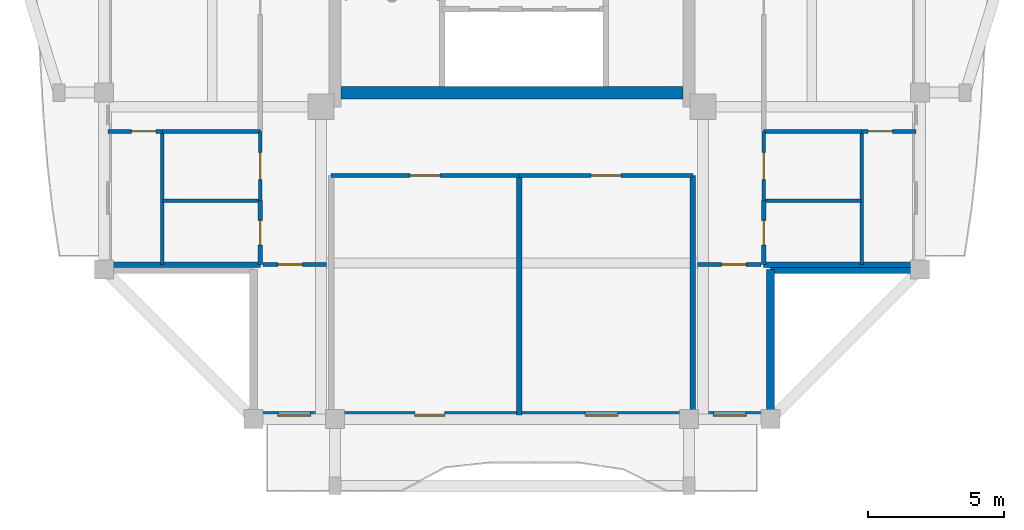
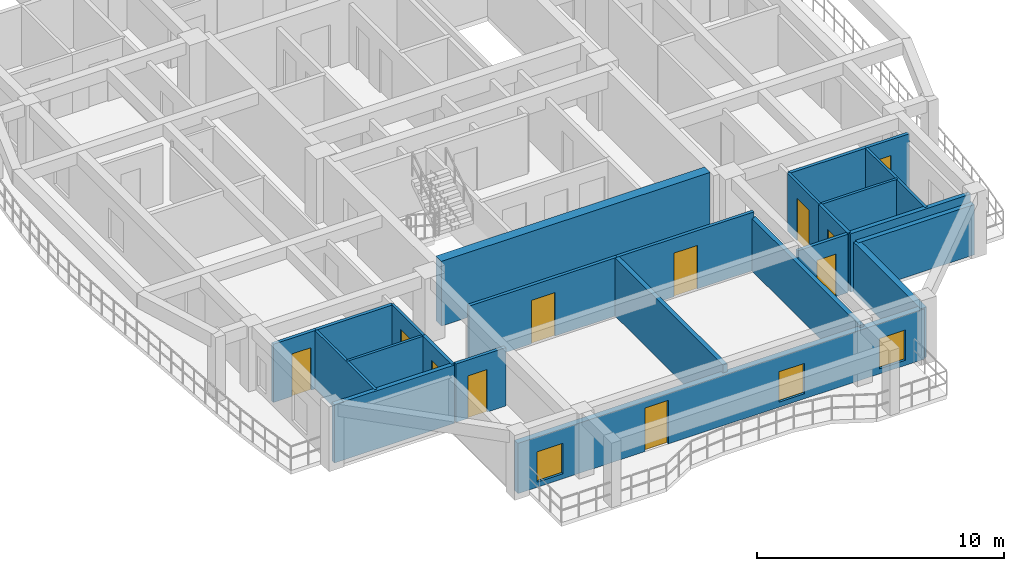
# One storey, part 2 of 11: 24 walls, 11 doors, 3 windows, 14 openings.
"""IFC4 building model written with IfcOpenShell, lengths in metres."""

from ifc_helpers import new_model, si_unit, direction, frame, frame_2d, origin, place, context, subcontext, project, spatial, rectangle, extrude, source, transform, mapped, material, layer, layer_set, type_object, element, fill, save


model = new_model("IFC4")

# Units and contexts
model_context = context("Model", 3, precision=1e-05, world=origin(), true_north=direction((0.0, 1.0)))
body_context = subcontext(model_context, "Body", "Model", "MODEL_VIEW")
ifc_project = project(units=[si_unit("LENGTHUNIT", "METRE"), si_unit("AREAUNIT", "SQUARE_METRE"), si_unit("VOLUMEUNIT", "CUBIC_METRE"), si_unit("PLANEANGLEUNIT", "RADIAN"), si_unit("MASSUNIT", "GRAM", prefix="KILO")], contexts=[model_context])

# Site, building, storey
site_placement = place(None, origin())
site = spatial("IfcSite", under=ifc_project, at=site_placement, CompositionType="ELEMENT")
building_placement = place(site_placement, origin())
building = spatial("IfcBuilding", under=site, at=building_placement, Name="Saelheon Loggia Tower", CompositionType="ELEMENT")
storey_placement = place(building_placement, frame((0.0, 0.0, 249.0)))
storey = spatial("IfcBuildingStorey", under=building, at=storey_placement, Name="L77", CompositionType="ELEMENT", Elevation=249.0)

# Wall
ifc_material_1 = material(Name="Concrete C45/55", Category="concrete")
ifc_layer_1 = layer(ifc_material_1, 0.449951171875)
ifc_layer_set_1 = layer_set([ifc_layer_1], Name="Concrete C45/55")
wall_type_1 = type_object("IfcWallType", Name="Wall_CoreShear_450", PredefinedType="SHEAR", material=ifc_layer_set_1)
wall_1_placement = place(storey_placement, frame((31.72509765625, 18.0, 0.0), z_axis=(0.0, 0.0, 1.0), x_axis=(1.0, 0.0, 0.0)))
element("IfcWall", 1, at=wall_1_placement, inside=storey, type_object=wall_type_1, Name="L77 Core Shear Wall South", PredefinedType="SHEAR", context=body_context, shape_type="SweptSolid", body=[
    extrude(rectangle(XDim=12.5498046875, YDim=0.449951171875, at=frame_2d((6.27490234375, 0.0))), origin(), (0.0, 0.0, 1.0), 3.199951171875),
])

# Wall, openings, windows, door
ifc_material_2 = material(Name="Architectural Precast Concrete C40/50", Category="concrete")
ifc_layer_2 = layer(ifc_material_2, 0.280029296875)
ifc_layer_set_2 = layer_set([ifc_layer_2], Name="Architectural Precast Concrete C40/50")
wall_type_2 = type_object("IfcWallType", Name="Wall_Ext_Loggia_280", PredefinedType="SOLIDWALL", material=ifc_layer_set_2)
wall_2_placement = place(storey_placement, frame((28.5, 6.139892578125, 0.0), z_axis=(0.0, 0.0, 1.0), x_axis=(1.0, 0.0, 0.0)))
wall_2 = element("IfcWall", 2, at=wall_2_placement, inside=storey, type_object=wall_type_2, Name="L77 South Loggia Inner Wall", PredefinedType="SOLIDWALL", context=body_context, shape_type="SweptSolid", body=[
    extrude(rectangle(XDim=19.0, YDim=0.280029296875, at=frame_2d((9.5, 0.0))), origin(), (0.0, 0.0, 1.0), 2.47998046875),
])
opening_1_placement = place(wall_2_placement, frame((0.89990234375, 0.0, 0.25)))
opening_1 = element("IfcOpeningElement", 3, at=opening_1_placement, cuts=wall_2, Name="Opening WN-03", PredefinedType="OPENING", context=body_context, shape_type="SweptSolid", body=[
    extrude(rectangle(XDim=1.199951171875, YDim=1.5, at=frame_2d((0.60009765625, 0.75))), frame((0.0, 0.152099609375, 0.0), z_axis=(0.0, -1.0, 0.0), x_axis=(1.0, 0.0, 0.0)), (0.0, 0.0, 1.0), 0.303955078125),
])
opening_2_placement = place(wall_2_placement, frame((7.028076171875, 0.0, 0.0), z_axis=(0.0, 0.0, 1.0), x_axis=(-1.0, 0.0, 0.0)))
opening_2 = element("IfcOpeningElement", 4, at=opening_2_placement, cuts=wall_2, Name="Opening TD1", PredefinedType="OPENING", context=body_context, shape_type="SweptSolid", body=[
    extrude(rectangle(XDim=1.10009765625, YDim=2.14990234375, at=frame_2d((0.550048828125, 1.074951171875))), frame((0.0, 0.152099609375, 0.0), z_axis=(0.0, -1.0, 0.0), x_axis=(1.0, 0.0, 0.0)), (0.0, 0.0, 1.0), 0.303955078125),
])
opening_3_placement = place(wall_2_placement, frame((12.18798828125, 0.0, 0.25)))
opening_3 = element("IfcOpeningElement", 5, at=opening_3_placement, cuts=wall_2, Name="Opening WN-03", PredefinedType="OPENING", context=body_context, shape_type="SweptSolid", body=[
    extrude(rectangle(XDim=1.199951171875, YDim=1.5, at=frame_2d((0.60009765625, 0.75))), frame((0.0, 0.152099609375, 0.0), z_axis=(0.0, -1.0, 0.0), x_axis=(1.0, 0.0, 0.0)), (0.0, 0.0, 1.0), 0.303955078125),
])
opening_4_placement = place(wall_2_placement, frame((16.89990234375, 0.0, 0.25)))
opening_4 = element("IfcOpeningElement", 6, at=opening_4_placement, cuts=wall_2, Name="Opening WN-03", PredefinedType="OPENING", context=body_context, shape_type="SweptSolid", body=[
    extrude(rectangle(XDim=1.199951171875, YDim=1.5, at=frame_2d((0.60009765625, 0.75))), frame((0.0, 0.152099609375, 0.0), z_axis=(0.0, -1.0, 0.0), x_axis=(1.0, 0.0, 0.0)), (0.0, 0.0, 1.0), 0.303955078125),
])
ifc_material_3 = material(Name="Thermal-Break Aluminium and Triple Low-E Glass", Category="aluminium")
window_type = type_object("IfcWindowType", Name="Win_Bedroom_1200x1500", PartitioningType="SINGLE_PANEL", PredefinedType="WINDOW", material=ifc_material_3)
shared_shape_1 = source(origin(), body_context, "Body", "SweptSolid", [
    extrude(rectangle(XDim=1.199951171875, YDim=1.5, at=frame_2d((0.60009765625, 0.75))), frame((0.0, 0.030029296875, 0.0), z_axis=(0.0, -1.0, 0.0), x_axis=(1.0, 0.0, 0.0)), (0.0, 0.0, 1.0), 0.06005859375),
])
window_1_placement = place(opening_1_placement, origin())
window_1 = element("IfcWindow", 7, at=window_1_placement, inside=storey, type_object=window_type, Name="L77 S Dwelling Window 1", OverallHeight=1.5, OverallWidth=1.199951171875, PartitioningType="SINGLE_PANEL", PredefinedType="WINDOW", context=body_context, shape_type="MappedRepresentation", body=[
    mapped(shared_shape_1, transform((0.0, 0.0, 0.0), scale=1.0)),
])
fill(opening_1, window_1)
window_2_placement = place(opening_3_placement, origin())
window_2 = element("IfcWindow", 8, at=window_2_placement, inside=storey, type_object=window_type, Name="L77 S Dwelling Window 3", OverallHeight=1.5, OverallWidth=1.199951171875, PartitioningType="SINGLE_PANEL", PredefinedType="WINDOW", context=body_context, shape_type="MappedRepresentation", body=[
    mapped(shared_shape_1, transform((0.0, 0.0, 0.0), scale=1.0)),
])
fill(opening_3, window_2)
window_3_placement = place(opening_4_placement, origin())
window_3 = element("IfcWindow", 9, at=window_3_placement, inside=storey, type_object=window_type, Name="L77 S Dwelling Window 4", OverallHeight=1.5, OverallWidth=1.199951171875, PartitioningType="SINGLE_PANEL", PredefinedType="WINDOW", context=body_context, shape_type="MappedRepresentation", body=[
    mapped(shared_shape_1, transform((0.0, 0.0, 0.0), scale=1.0)),
])
fill(opening_4, window_3)
ifc_material_4 = material(Name="Thermal-Break Aluminium Glazed Door", Category="aluminium")
door_type_1 = type_object("IfcDoorType", Name="Door_Terrace_TD1", OperationType="NOTDEFINED", PredefinedType="DOOR", material=ifc_material_4)
shared_shape_2 = source(origin(), body_context, "Body", "SweptSolid", [
    extrude(rectangle(XDim=1.10009765625, YDim=2.14990234375, at=frame_2d((0.550048828125, 1.074951171875))), frame((0.0, 0.02490234375, 0.0), z_axis=(0.0, -1.0, 0.0), x_axis=(1.0, 0.0, 0.0)), (0.0, 0.0, 1.0), 0.050048828125),
])
door_1_placement = place(opening_2_placement, origin())
door_1 = element("IfcDoor", 10, at=door_1_placement, inside=storey, type_object=door_type_1, Name="L77 S Loggia Access Door", OperationType="SINGLE_SWING_RIGHT", OverallHeight=2.14990234375, OverallWidth=1.10009765625, PredefinedType="DOOR", context=body_context, shape_type="MappedRepresentation", body=[
    mapped(shared_shape_2, transform((0.0, 0.0, 0.0), scale=1.0)),
])
fill(opening_2, door_1)

# Walls
for number, where, z_axis, x_axis, name in (
    (11, (47.5, 6.080078125, 0.0), (0.0, 0.0, 1.0), (0.0, 1.0, 0.0), "L77 Corner Notch Precast Wall SE1"),
    (12, (47.5, 11.5, 0.0), (0.0, 0.0, 1.0), (1.0, 0.0, 0.0), "L77 Corner Notch Precast Wall SE2"),
):
    element("IfcWall", number, at=place(storey_placement, frame(where, z_axis=z_axis, x_axis=x_axis)), inside=storey, type_object=wall_type_2, Name=name, PredefinedType="SOLIDWALL", context=body_context, shape_type="SweptSolid", body=[
        extrude(rectangle(XDim=5.419921875, YDim=0.280029296875, at=frame_2d((2.7099609375, 0.0))), origin(), (0.0, 0.0, 1.0), 2.47998046875),
    ])

# Wall, opening, door
ifc_material_5 = material(Name="Lightweight Autoclaved Aerated Concrete Block and Acoustic Gypsum", Category="concrete")
ifc_layer_3 = layer(ifc_material_5, 0.14990234375)
ifc_layer_set_3 = layer_set([ifc_layer_3], Name="Lightweight Autoclaved Aerated Concrete Block and Acoustic Gypsum")
wall_type_3 = type_object("IfcWallType", Name="Wall_Part_150", PredefinedType="PARTITIONING", material=ifc_layer_set_3)
wall_3_placement = place(storey_placement, frame((28.85009765625, 11.679931640625, 0.0), z_axis=(0.0, 0.0, 1.0), x_axis=(1.0, 0.0, 0.0)))
wall_3 = element("IfcWall", 13, at=wall_3_placement, inside=storey, type_object=wall_type_3, Name="PW-L77-CSW-H", PredefinedType="PARTITIONING", context=body_context, shape_type="SweptSolid", body=[
    extrude(rectangle(XDim=2.329833984375, YDim=0.14990234375, at=frame_2d((1.1650390625, 0.0))), origin(), (0.0, 0.0, 1.0), 2.8798828125),
])
opening_5_placement = place(wall_3_placement, frame((0.550048828125, 0.0, 0.0)))
opening_5 = element("IfcOpeningElement", 14, at=opening_5_placement, cuts=wall_3, Name="Opening D-IN2", PredefinedType="OPENING", context=body_context, shape_type="SweptSolid", body=[
    extrude(rectangle(XDim=0.89990234375, YDim=2.10009765625, at=frame_2d((0.449951171875, 1.050048828125))), frame((0.0, 0.0869140625, 0.0), z_axis=(0.0, -1.0, 0.0), x_axis=(1.0, 0.0, 0.0)), (0.0, 0.0, 1.0), 0.173828125),
])
ifc_material_6 = material(Name="Engineered Oak Flush Door", Category="timber")
door_type_2 = type_object("IfcDoorType", Name="Door_Int_900", OperationType="NOTDEFINED", PredefinedType="DOOR", material=ifc_material_6)
shared_shape_3 = source(origin(), body_context, "Body", "SweptSolid", [
    extrude(rectangle(XDim=0.89990234375, YDim=2.10009765625, at=frame_2d((0.449951171875, 1.050048828125))), frame((0.0, 0.02490234375, 0.0), z_axis=(0.0, -1.0, 0.0), x_axis=(1.0, 0.0, 0.0)), (0.0, 0.0, 1.0), 0.050048828125),
])
door_2_placement = place(opening_5_placement, origin())
door_2 = element("IfcDoor", 15, at=door_2_placement, inside=storey, type_object=door_type_2, Name="L77 Corner Home Office SW Door", OperationType="SINGLE_SWING_RIGHT", OverallHeight=2.10009765625, OverallWidth=0.89990234375, PredefinedType="DOOR", context=body_context, shape_type="MappedRepresentation", body=[
    mapped(shared_shape_3, transform((0.0, 0.0, 0.0), scale=1.0)),
])
fill(opening_5, door_2)

wall_4_placement = place(storey_placement, frame((44.820068359375, 11.679931640625, 0.0), z_axis=(0.0, 0.0, 1.0), x_axis=(1.0, 0.0, 0.0)))
wall_4 = element("IfcWall", 16, at=wall_4_placement, inside=storey, type_object=wall_type_3, Name="PW-L77-CSE-H", PredefinedType="PARTITIONING", context=body_context, shape_type="SweptSolid", body=[
    extrude(rectangle(XDim=2.329833984375, YDim=0.14990234375, at=frame_2d((1.1650390625, 0.0))), origin(), (0.0, 0.0, 1.0), 2.8798828125),
])
opening_6_placement = place(wall_4_placement, frame((0.8798828125, 0.0, 0.0)))
opening_6 = element("IfcOpeningElement", 17, at=opening_6_placement, cuts=wall_4, Name="Opening D-IN2", PredefinedType="OPENING", context=body_context, shape_type="SweptSolid", body=[
    extrude(rectangle(XDim=0.89990234375, YDim=2.10009765625, at=frame_2d((0.449951171875, 1.050048828125))), frame((0.0, 0.0869140625, 0.0), z_axis=(0.0, -1.0, 0.0), x_axis=(1.0, 0.0, 0.0)), (0.0, 0.0, 1.0), 0.173828125),
])
door_3_placement = place(opening_6_placement, origin())
door_3 = element("IfcDoor", 18, at=door_3_placement, inside=storey, type_object=door_type_2, Name="L77 Corner Reading Room SE Door", OperationType="SINGLE_SWING_RIGHT", OverallHeight=2.10009765625, OverallWidth=0.89990234375, PredefinedType="DOOR", context=body_context, shape_type="MappedRepresentation", body=[
    mapped(shared_shape_3, transform((0.0, 0.0, 0.0), scale=1.0)),
])
fill(opening_6, door_3)

wall_5_placement = place(storey_placement, frame((31.35009765625, 14.949951171875, 0.0), z_axis=(0.0, 0.0, 1.0), x_axis=(1.0, 0.0, 0.0)))
wall_5 = element("IfcWall", 19, at=wall_5_placement, inside=storey, type_object=wall_type_3, Name="L77 S Partition V03", PredefinedType="PARTITIONING", context=body_context, shape_type="SweptSolid", body=[
    extrude(rectangle(XDim=6.916015625, YDim=0.14990234375, at=frame_2d((3.4580078125, 0.0))), origin(), (0.0, 0.0, 1.0), 2.8798828125),
])
opening_7_placement = place(wall_5_placement, frame((2.907958984375, 0.0, 0.0)))
opening_7 = element("IfcOpeningElement", 20, at=opening_7_placement, cuts=wall_5, Name="Opening D-FD2", PredefinedType="OPENING", context=body_context, shape_type="SweptSolid", body=[
    extrude(rectangle(XDim=1.10009765625, YDim=2.14990234375, at=frame_2d((0.550048828125, 1.074951171875))), frame((0.0, 0.0869140625, 0.0), z_axis=(0.0, -1.0, 0.0), x_axis=(1.0, 0.0, 0.0)), (0.0, 0.0, 1.0), 0.173828125),
])
ifc_material_7 = material(Name="Galvanised Steel Fire Door", Category="steel")
door_type_3 = type_object("IfcDoorType", Name="Door_Fire_FD60_1100", OperationType="NOTDEFINED", PredefinedType="DOOR", material=ifc_material_7)
door_4_placement = place(opening_7_placement, origin())
door_4 = element("IfcDoor", 21, at=door_4_placement, inside=storey, type_object=door_type_3, Name="L77 Sky Community Club Hall Door A", OperationType="SINGLE_SWING_RIGHT", OverallHeight=2.14990234375, OverallWidth=1.10009765625, PredefinedType="DOOR", context=body_context, shape_type="MappedRepresentation", body=[
    mapped(shared_shape_2, transform((0.0, 0.0, 0.0), scale=1.0)),
])
fill(opening_7, door_4)

wall_6_placement = place(storey_placement, frame((38.26611328125, 14.949951171875, 0.0), z_axis=(0.0, 0.0, 1.0), x_axis=(1.0, 0.0, 0.0)))
wall_6 = element("IfcWall", 22, at=wall_6_placement, inside=storey, type_object=wall_type_3, Name="L77 S Partition V05", PredefinedType="PARTITIONING", context=body_context, shape_type="SweptSolid", body=[
    extrude(rectangle(XDim=6.3837890625, YDim=0.14990234375, at=frame_2d((3.19189453125, 0.0))), origin(), (0.0, 0.0, 1.0), 2.8798828125),
])
opening_8_placement = place(wall_6_placement, frame((2.64208984375, 0.0, 0.0)))
opening_8 = element("IfcOpeningElement", 23, at=opening_8_placement, cuts=wall_6, Name="Opening D-FD2", PredefinedType="OPENING", context=body_context, shape_type="SweptSolid", body=[
    extrude(rectangle(XDim=1.10009765625, YDim=2.14990234375, at=frame_2d((0.550048828125, 1.074951171875))), frame((0.0, 0.0869140625, 0.0), z_axis=(0.0, -1.0, 0.0), x_axis=(1.0, 0.0, 0.0)), (0.0, 0.0, 1.0), 0.173828125),
])
door_5_placement = place(opening_8_placement, origin())
door_5 = element("IfcDoor", 24, at=door_5_placement, inside=storey, type_object=door_type_3, Name="L77 Resident Fitness Gymnasium Door A", OperationType="SINGLE_SWING_LEFT", OverallHeight=2.14990234375, OverallWidth=1.10009765625, PredefinedType="DOOR", context=body_context, shape_type="MappedRepresentation", body=[
    mapped(shared_shape_2, transform((0.0, 0.0, 0.0), scale=1.0)),
])
fill(opening_8, door_5)

# Wall
wall_7_placement = place(storey_placement, frame((28.75, 16.580078125, 0.0), z_axis=(0.0, 0.0, 1.0), x_axis=(-1.0, 0.0, 0.0)))
element("IfcWall", 25, at=wall_7_placement, inside=storey, type_object=wall_type_3, Name="L77 W Partition U04", PredefinedType="PARTITIONING", context=body_context, shape_type="SweptSolid", body=[
    extrude(rectangle(XDim=3.60009765625, YDim=0.14990234375, at=frame_2d((1.800048828125, 0.0))), origin(), (0.0, 0.0, 1.0), 2.8798828125),
])

# Wall, opening, door
wall_8_placement = place(storey_placement, frame((25.14990234375, 16.580078125, 0.0), z_axis=(0.0, 0.0, 1.0), x_axis=(-1.0, 0.0, 0.0)))
wall_8 = element("IfcWall", 26, at=wall_8_placement, inside=storey, type_object=wall_type_3, Name="L77 W Partition U05", PredefinedType="PARTITIONING", context=body_context, shape_type="SweptSolid", body=[
    extrude(rectangle(XDim=2.0, YDim=0.14990234375, at=frame_2d((1.0, 0.0))), origin(), (0.0, 0.0, 1.0), 2.8798828125),
])
opening_9_placement = place(wall_8_placement, frame((0.239990234375, 0.0, 0.0)))
opening_9 = element("IfcOpeningElement", 27, at=opening_9_placement, cuts=wall_8, Name="Opening D-IN2", PredefinedType="OPENING", context=body_context, shape_type="SweptSolid", body=[
    extrude(rectangle(XDim=0.89990234375, YDim=2.10009765625, at=frame_2d((0.449951171875, 1.050048828125))), frame((0.0, 0.0869140625, 0.0), z_axis=(0.0, -1.0, 0.0), x_axis=(1.0, 0.0, 0.0)), (0.0, 0.0, 1.0), 0.173828125),
])
door_6_placement = place(opening_9_placement, origin())
door_6 = element("IfcDoor", 28, at=door_6_placement, inside=storey, type_object=door_type_2, Name="L77 Reading Alcove Door", OperationType="SINGLE_SWING_LEFT", OverallHeight=2.10009765625, OverallWidth=0.89990234375, PredefinedType="DOOR", context=body_context, shape_type="MappedRepresentation", body=[
    mapped(shared_shape_3, transform((0.0, 0.0, 0.0), scale=1.0)),
])
fill(opening_9, door_6)

wall_9_placement = place(storey_placement, frame((28.75, 11.679931640625, 0.0), z_axis=(0.0, 0.0, 1.0), x_axis=(0.0, 1.0, 0.0)))
wall_9 = element("IfcWall", 29, at=wall_9_placement, inside=storey, type_object=wall_type_3, Name="L77 W Partition V07", PredefinedType="PARTITIONING", context=body_context, shape_type="SweptSolid", body=[
    extrude(rectangle(XDim=2.35009765625, YDim=0.14990234375, at=frame_2d((1.175048828125, 0.0))), origin(), (0.0, 0.0, 1.0), 2.8798828125),
])
opening_10_placement = place(wall_9_placement, frame((0.72509765625, 0.0, 0.0)))
opening_10 = element("IfcOpeningElement", 30, at=opening_10_placement, cuts=wall_9, Name="Opening D-IN2", PredefinedType="OPENING", context=body_context, shape_type="SweptSolid", body=[
    extrude(rectangle(XDim=0.89990234375, YDim=2.10009765625, at=frame_2d((0.449951171875, 1.050048828125))), frame((0.0, 0.0869140625, 0.0), z_axis=(0.0, -1.0, 0.0), x_axis=(1.0, 0.0, 0.0)), (0.0, 0.0, 1.0), 0.173828125),
])
door_7_placement = place(opening_10_placement, origin())
door_7 = element("IfcDoor", 31, at=door_7_placement, inside=storey, type_object=door_type_2, Name="L77 Community Pantry Door", OperationType="SINGLE_SWING_RIGHT", OverallHeight=2.10009765625, OverallWidth=0.89990234375, PredefinedType="DOOR", context=body_context, shape_type="MappedRepresentation", body=[
    mapped(shared_shape_3, transform((0.0, 0.0, 0.0), scale=1.0)),
])
fill(opening_10, door_7)

# Wall
wall_10_placement = place(storey_placement, frame((47.25, 16.580078125, 0.0), z_axis=(0.0, 0.0, 1.0), x_axis=(1.0, 0.0, 0.0)))
element("IfcWall", 32, at=wall_10_placement, inside=storey, type_object=wall_type_3, Name="L77 E Partition U04", PredefinedType="PARTITIONING", context=body_context, shape_type="SweptSolid", body=[
    extrude(rectangle(XDim=3.60009765625, YDim=0.14990234375, at=frame_2d((1.800048828125, 0.0))), origin(), (0.0, 0.0, 1.0), 2.8798828125),
])

# Wall, opening, door
wall_11_placement = place(storey_placement, frame((50.85009765625, 16.580078125, 0.0), z_axis=(0.0, 0.0, 1.0), x_axis=(1.0, 0.0, 0.0)))
wall_11 = element("IfcWall", 33, at=wall_11_placement, inside=storey, type_object=wall_type_3, Name="L77 E Partition U05", PredefinedType="PARTITIONING", context=body_context, shape_type="SweptSolid", body=[
    extrude(rectangle(XDim=2.0, YDim=0.14990234375, at=frame_2d((1.0, 0.0))), origin(), (0.0, 0.0, 1.0), 2.8798828125),
])
opening_11_placement = place(wall_11_placement, frame((0.239990234375, 0.0, 0.0)))
opening_11 = element("IfcOpeningElement", 34, at=opening_11_placement, cuts=wall_11, Name="Opening D-IN2", PredefinedType="OPENING", context=body_context, shape_type="SweptSolid", body=[
    extrude(rectangle(XDim=0.89990234375, YDim=2.10009765625, at=frame_2d((0.449951171875, 1.050048828125))), frame((0.0, 0.0869140625, 0.0), z_axis=(0.0, -1.0, 0.0), x_axis=(1.0, 0.0, 0.0)), (0.0, 0.0, 1.0), 0.173828125),
])
door_8_placement = place(opening_11_placement, origin())
door_8 = element("IfcDoor", 35, at=door_8_placement, inside=storey, type_object=door_type_2, Name="L77 Reading Alcove Door", OperationType="SINGLE_SWING_RIGHT", OverallHeight=2.10009765625, OverallWidth=0.89990234375, PredefinedType="DOOR", context=body_context, shape_type="MappedRepresentation", body=[
    mapped(shared_shape_3, transform((0.0, 0.0, 0.0), scale=1.0)),
])
fill(opening_11, door_8)

wall_12_placement = place(storey_placement, frame((47.25, 11.679931640625, 0.0), z_axis=(0.0, 0.0, 1.0), x_axis=(0.0, 1.0, 0.0)))
wall_12 = element("IfcWall", 36, at=wall_12_placement, inside=storey, type_object=wall_type_3, Name="L77 E Partition V07", PredefinedType="PARTITIONING", context=body_context, shape_type="SweptSolid", body=[
    extrude(rectangle(XDim=2.35009765625, YDim=0.14990234375, at=frame_2d((1.175048828125, 0.0))), origin(), (0.0, 0.0, 1.0), 2.8798828125),
])
opening_12_placement = place(wall_12_placement, frame((0.72509765625, 0.0, 0.0)))
opening_12 = element("IfcOpeningElement", 37, at=opening_12_placement, cuts=wall_12, Name="Opening D-IN2", PredefinedType="OPENING", context=body_context, shape_type="SweptSolid", body=[
    extrude(rectangle(XDim=0.89990234375, YDim=2.10009765625, at=frame_2d((0.449951171875, 1.050048828125))), frame((0.0, 0.0869140625, 0.0), z_axis=(0.0, -1.0, 0.0), x_axis=(1.0, 0.0, 0.0)), (0.0, 0.0, 1.0), 0.173828125),
])
door_9_placement = place(opening_12_placement, origin())
door_9 = element("IfcDoor", 38, at=door_9_placement, inside=storey, type_object=door_type_2, Name="L77 Community Pantry Door", OperationType="SINGLE_SWING_LEFT", OverallHeight=2.10009765625, OverallWidth=0.89990234375, PredefinedType="DOOR", context=body_context, shape_type="MappedRepresentation", body=[
    mapped(shared_shape_3, transform((0.0, 0.0, 0.0), scale=1.0)),
])
fill(opening_12, door_9)

# Walls
ifc_material_8 = material(Name="Double Acoustic Stud and Fireboard Partition", Category="gypsum")
ifc_layer_4 = layer(ifc_material_8, 0.199951171875)
ifc_layer_set_4 = layer_set([ifc_layer_4], Name="Double Acoustic Stud and Fireboard Partition")
wall_type_4 = type_object("IfcWallType", Name="Wall_Party_200", PredefinedType="PARTITIONING", material=ifc_layer_set_4)
wall_13_placement = place(storey_placement, frame((44.64990234375, 14.949951171875, 0.0), z_axis=(0.0, 0.0, 1.0), x_axis=(0.0, -1.0, 0.0)))
element("IfcWall", 39, at=wall_13_placement, inside=storey, type_object=wall_type_4, Name="L77 S Partition U02", PredefinedType="PARTITIONING", context=body_context, shape_type="SweptSolid", body=[
    extrude(rectangle(XDim=8.800048828125, YDim=0.199951171875, at=frame_2d((4.39990234375, 0.0))), origin(), (0.0, 0.0, 1.0), 2.590087890625),
])
wall_14_placement = place(storey_placement, frame((38.26611328125, 14.949951171875, 0.0), z_axis=(0.0, 0.0, 1.0), x_axis=(0.0, -1.0, 0.0)))
element("IfcWall", 40, at=wall_14_placement, inside=storey, type_object=wall_type_4, Name="L77 S Partition U04", PredefinedType="PARTITIONING", context=body_context, shape_type="SweptSolid", body=[
    extrude(rectangle(XDim=8.800048828125, YDim=0.199951171875, at=frame_2d((4.39990234375, 0.0))), origin(), (0.0, 0.0, 1.0), 2.8798828125),
])
for number, where, z_axis, x_axis, name in (
    (41, (28.75, 11.679931640625, 0.0), (0.0, 0.0, 1.0), (-1.0, 0.0, 0.0), "L77 W Partition U01"),
    (42, (47.25, 11.679931640625, 0.0), (0.0, 0.0, 1.0), (1.0, 0.0, 0.0), "L77 E Partition U01"),
):
    element("IfcWall", number, at=place(storey_placement, frame(where, z_axis=z_axis, x_axis=x_axis)), inside=storey, type_object=wall_type_4, Name=name, PredefinedType="PARTITIONING", context=body_context, shape_type="SweptSolid", body=[
        extrude(rectangle(XDim=5.60009765625, YDim=0.199951171875, at=frame_2d((2.800048828125, 0.0))), origin(), (0.0, 0.0, 1.0), 2.8798828125),
    ])
ifc_material_9 = material(Name="Moisture-Resistant Cement Board Partition", Category="gypsum")
ifc_layer_5 = layer(ifc_material_9, 0.1201171875)
ifc_layer_set_5 = layer_set([ifc_layer_5], Name="Moisture-Resistant Cement Board Partition")
wall_type_5 = type_object("IfcWallType", Name="Wall_WetPart_120", PredefinedType="PARTITIONING", material=ifc_layer_set_5)
wall_15_placement = place(storey_placement, frame((28.75, 14.030029296875, 0.0), z_axis=(0.0, 0.0, 1.0), x_axis=(-1.0, 0.0, 0.0)))
element("IfcWall", 43, at=wall_15_placement, inside=storey, type_object=wall_type_5, Name="L77 W Partition U03", PredefinedType="PARTITIONING", context=body_context, shape_type="SweptSolid", body=[
    extrude(rectangle(XDim=3.60009765625, YDim=0.1201171875, at=frame_2d((1.800048828125, 0.0))), origin(), (0.0, 0.0, 1.0), 2.8798828125),
])
wall_16_placement = place(storey_placement, frame((25.14990234375, 11.679931640625, 0.0), z_axis=(0.0, 0.0, 1.0), x_axis=(0.0, 1.0, 0.0)))
element("IfcWall", 44, at=wall_16_placement, inside=storey, type_object=wall_type_5, Name="L77 W Partition V06", PredefinedType="PARTITIONING", context=body_context, shape_type="SweptSolid", body=[
    extrude(rectangle(XDim=4.900146484375, YDim=0.1201171875, at=frame_2d((2.4501953125, 0.0))), origin(), (0.0, 0.0, 1.0), 2.8798828125),
])

# Wall, opening, door
wall_17_placement = place(storey_placement, frame((28.75, 14.030029296875, 0.0), z_axis=(0.0, 0.0, 1.0), x_axis=(0.0, 1.0, 0.0)))
wall_17 = element("IfcWall", 45, at=wall_17_placement, inside=storey, type_object=wall_type_5, Name="L77 W Partition V08", PredefinedType="PARTITIONING", context=body_context, shape_type="SweptSolid", body=[
    extrude(rectangle(XDim=2.550048828125, YDim=0.1201171875, at=frame_2d((1.27490234375, 0.0))), origin(), (0.0, 0.0, 1.0), 2.8798828125),
])
opening_13_placement = place(wall_17_placement, frame((0.77490234375, 0.0, 0.0)))
opening_13 = element("IfcOpeningElement", 46, at=opening_13_placement, cuts=wall_17, Name="Opening D-AC1", PredefinedType="OPENING", context=body_context, shape_type="SweptSolid", body=[
    extrude(rectangle(XDim=1.0, YDim=2.10009765625, at=frame_2d((0.5, 1.050048828125))), frame((0.0, 0.072021484375, 0.0), z_axis=(0.0, -1.0, 0.0), x_axis=(1.0, 0.0, 0.0)), (0.0, 0.0, 1.0), 0.14404296875),
])
ifc_material_10 = material(Name="Accessible Laminate Flush Door", Category="timber")
door_type_4 = type_object("IfcDoorType", Name="Door_Acc_1000", OperationType="NOTDEFINED", PredefinedType="DOOR", material=ifc_material_10)
shared_shape_4 = source(origin(), body_context, "Body", "SweptSolid", [
    extrude(rectangle(XDim=1.0, YDim=2.10009765625, at=frame_2d((0.5, 1.050048828125))), frame((0.0, 0.02490234375, 0.0), z_axis=(0.0, -1.0, 0.0), x_axis=(1.0, 0.0, 0.0)), (0.0, 0.0, 1.0), 0.050048828125),
])
door_10_placement = place(opening_13_placement, origin())
door_10 = element("IfcDoor", 47, at=door_10_placement, inside=storey, type_object=door_type_4, Name="L77 Common Washroom Door", OperationType="SINGLE_SWING_LEFT", OverallHeight=2.10009765625, OverallWidth=1.0, PredefinedType="DOOR", context=body_context, shape_type="MappedRepresentation", body=[
    mapped(shared_shape_4, transform((0.0, 0.0, 0.0), scale=1.0)),
])
fill(opening_13, door_10)

# Walls
wall_18_placement = place(storey_placement, frame((47.25, 14.030029296875, 0.0), z_axis=(0.0, 0.0, 1.0), x_axis=(1.0, 0.0, 0.0)))
element("IfcWall", 48, at=wall_18_placement, inside=storey, type_object=wall_type_5, Name="L77 E Partition U03", PredefinedType="PARTITIONING", context=body_context, shape_type="SweptSolid", body=[
    extrude(rectangle(XDim=3.60009765625, YDim=0.1201171875, at=frame_2d((1.800048828125, 0.0))), origin(), (0.0, 0.0, 1.0), 2.8798828125),
])
wall_19_placement = place(storey_placement, frame((50.85009765625, 11.679931640625, 0.0), z_axis=(0.0, 0.0, 1.0), x_axis=(0.0, 1.0, 0.0)))
element("IfcWall", 49, at=wall_19_placement, inside=storey, type_object=wall_type_5, Name="L77 E Partition V06", PredefinedType="PARTITIONING", context=body_context, shape_type="SweptSolid", body=[
    extrude(rectangle(XDim=4.900146484375, YDim=0.1201171875, at=frame_2d((2.4501953125, 0.0))), origin(), (0.0, 0.0, 1.0), 2.8798828125),
])

# Wall, opening, door
wall_20_placement = place(storey_placement, frame((47.25, 14.030029296875, 0.0), z_axis=(0.0, 0.0, 1.0), x_axis=(0.0, 1.0, 0.0)))
wall_20 = element("IfcWall", 50, at=wall_20_placement, inside=storey, type_object=wall_type_5, Name="L77 E Partition V08", PredefinedType="PARTITIONING", context=body_context, shape_type="SweptSolid", body=[
    extrude(rectangle(XDim=2.550048828125, YDim=0.1201171875, at=frame_2d((1.27490234375, 0.0))), origin(), (0.0, 0.0, 1.0), 2.8798828125),
])
opening_14_placement = place(wall_20_placement, frame((0.77490234375, 0.0, 0.0)))
opening_14 = element("IfcOpeningElement", 51, at=opening_14_placement, cuts=wall_20, Name="Opening D-AC1", PredefinedType="OPENING", context=body_context, shape_type="SweptSolid", body=[
    extrude(rectangle(XDim=1.0, YDim=2.10009765625, at=frame_2d((0.5, 1.050048828125))), frame((0.0, 0.072021484375, 0.0), z_axis=(0.0, -1.0, 0.0), x_axis=(1.0, 0.0, 0.0)), (0.0, 0.0, 1.0), 0.14404296875),
])
door_11_placement = place(opening_14_placement, origin())
door_11 = element("IfcDoor", 52, at=door_11_placement, inside=storey, type_object=door_type_4, Name="L77 Common Washroom Door", OperationType="SINGLE_SWING_RIGHT", OverallHeight=2.10009765625, OverallWidth=1.0, PredefinedType="DOOR", context=body_context, shape_type="MappedRepresentation", body=[
    mapped(shared_shape_4, transform((0.0, 0.0, 0.0), scale=1.0)),
])
fill(opening_14, door_11)

save(model, "model.ifc")
